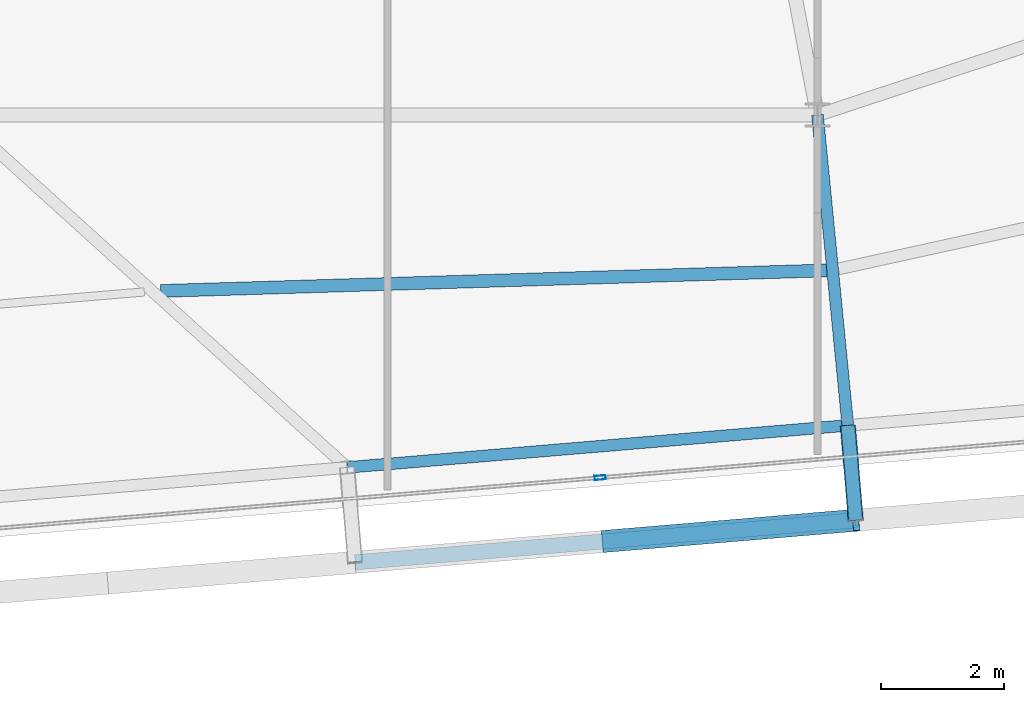
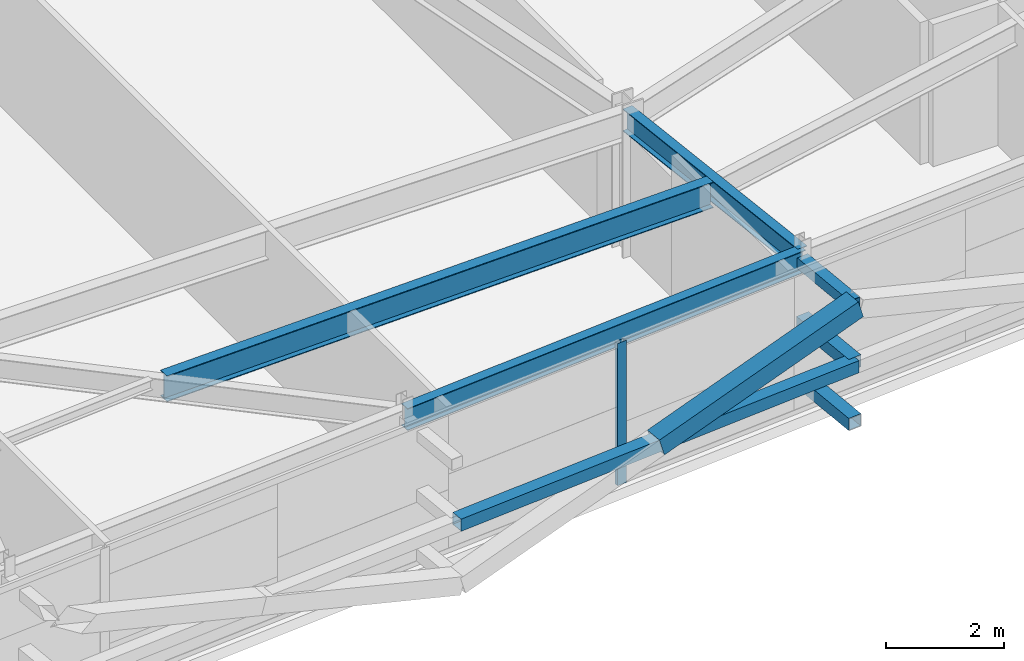
# One storey, part 10 of 39: 6 members, 3 beams, 1 element without a shape of its own.
"""IFC4 building model written with IfcOpenShell, lengths in metres."""

from ifc_helpers import new_model, si_unit, direction, frame, origin, origin_2d, place, context, subcontext, project, spatial, hollow_rectangle, i_section, extrude, source, transform, mapped, material, layer, layer_set, material_profile, profile_set, type_object, element, aggregate, save


model = new_model("IFC4")

# Units and contexts
model_context = context("Model", 3, precision=1e-05, world=origin(), true_north=direction((0.0, 1.0)))
body_context = subcontext(model_context, "Body", "Model", "MODEL_VIEW")
ifc_project = project(units=[si_unit("LENGTHUNIT", "METRE"), si_unit("AREAUNIT", "SQUARE_METRE"), si_unit("VOLUMEUNIT", "CUBIC_METRE"), si_unit("PLANEANGLEUNIT", "RADIAN"), si_unit("MASSUNIT", "GRAM", prefix="KILO")], contexts=[model_context])

# Site, building, storey
site_placement = place(None, origin())
site = spatial("IfcSite", under=ifc_project, at=site_placement, CompositionType="ELEMENT")
building_placement = place(site_placement, origin())
building = spatial("IfcBuilding", under=site, at=building_placement, Name="Taldren Reach Tower", CompositionType="ELEMENT")
storey_placement = place(building_placement, frame((0.0, 0.0, 178.85009765625)))
storey = spatial("IfcBuildingStorey", under=building, at=storey_placement, Name="L54", CompositionType="ELEMENT", Elevation=178.85009765625)

# Members
ifc_material_1 = material(Name="Steel Gr 350 (C350L0)", Category="steel")
ifc_material_profile_1 = material_profile(ifc_material_1, hollow_rectangle(XDim=0.25, YDim=0.25, WallThickness=0.010009765625, at=origin_2d()), Name="250x250x10.0SHS")
ifc_profile_set_1 = profile_set([ifc_material_profile_1], Name="Steel Gr 350 (C350L0)")
member_type_1 = type_object("IfcMemberType", Name="MB-POST250", PredefinedType="POST", material=ifc_profile_set_1)
shared_shape_1 = source(origin(), body_context, "Body", "SweptSolid", [
    extrude(hollow_rectangle(XDim=0.25, YDim=0.25, WallThickness=0.010009765625, at=origin_2d()), origin(), (0.0, 0.0, 1.0), 1.5498046875),
])
for number, where, z_axis, x_axis, name in (
    (1, (42.49365234375, 4.1474609375, 0.219970703125), (0.083645141657, -0.996495604746, 0.0), (0.996495604746, 0.083645141657, 0.0), "Exoskeleton base diaphragm tie strut B4-S4 L54"),
    (2, (42.49365234375, 4.1474609375, 1.434814453125), (0.083645141657, -0.996495604746, 0.0), (0.996495604746, 0.083645141657, 0.0), "Exoskeleton mid-tier diaphragm tie B4-S4 L54"),
):
    element("IfcMember", number, at=place(storey_placement, frame(where, z_axis=z_axis, x_axis=x_axis)), inside=storey, type_object=member_type_1, Name=name, PredefinedType="POST", context=body_context, shape_type="MappedRepresentation", body=[
        mapped(shared_shape_1, transform((0.0, 0.0, 0.0), scale=1.0)),
    ])

# Beams
ifc_material_2 = material(Name="Steel Gr 350 (350PLUS)", Category="steel")
ifc_material_profile_2 = material_profile(ifc_material_2, i_section(OverallWidth=0.18994140625, OverallDepth=0.4541015625, WebThickness=0.008544921875, FlangeThickness=0.0126953125, at=origin_2d()), Name="460UB67.1")
ifc_profile_set_2 = profile_set([ifc_material_profile_2], Name="Steel Gr 350 (350PLUS)")
beam_type_1 = type_object("IfcBeamType", Name="SP-UB460B", PredefinedType="SPANDREL", material=ifc_profile_set_2)
shared_shape_2 = source(origin(), body_context, "Body", "SweptSolid", [
    extrude(i_section(OverallWidth=0.18994140625, OverallDepth=0.4541015625, WebThickness=0.008544921875, FlangeThickness=0.0126953125, at=origin_2d()), origin(), (0.0, 0.0, 1.0), 8.18017578125),
])
beam_1_placement = place(storey_placement, frame((34.34228515625, 3.462890625, 2.702880859375), z_axis=(0.996492034688, 0.083687662192, 0.0), x_axis=(-0.083687662192, 0.996492034688, 0.0)))
element("IfcBeam", 3, at=beam_1_placement, inside=storey, type_object=beam_type_1, Name="Perimeter spandrel B4 S3-S4 L54", PredefinedType="SPANDREL", context=body_context, shape_type="MappedRepresentation", body=[
    mapped(shared_shape_2, transform((0.0, 0.0, 0.0), scale=1.0)),
])
ifc_material_profile_3 = material_profile(ifc_material_2, i_section(OverallWidth=0.19091796875, OverallDepth=0.4599609375, WebThickness=0.010009765625, FlangeThickness=0.01611328125, at=origin_2d()), Name="460UB82.1")
ifc_profile_set_3 = profile_set([ifc_material_profile_3], Name="Steel Gr 350 (350PLUS)")
beam_type_2 = type_object("IfcBeamType", Name="BM-UB460A", PredefinedType="BEAM", material=ifc_profile_set_3)
shared_shape_3 = source(origin(), body_context, "Body", "SweptSolid", [
    extrude(i_section(OverallWidth=0.19091796875, OverallDepth=0.4599609375, WebThickness=0.010009765625, FlangeThickness=0.01611328125, at=origin_2d()), origin(), (0.0, 0.0, 1.0), 5.07666015625),
])
beam_2_placement = place(storey_placement, frame((42.0, 9.199951171875, 2.699951171875), z_axis=(0.097241716644, -0.995260794236, 0.0), x_axis=(0.995260794236, 0.097241716644, 0.0)))
element("IfcBeam", 4, at=beam_2_placement, inside=storey, type_object=beam_type_2, Name="Primary floor girder B4-S4 L54", PredefinedType="BEAM", context=body_context, shape_type="MappedRepresentation", body=[
    mapped(shared_shape_3, transform((0.0, 0.0, 0.0), scale=1.0)),
])
ifc_material_profile_4 = material_profile(ifc_material_2, i_section(OverallWidth=0.208984375, OverallDepth=0.532958984375, WebThickness=0.01025390625, FlangeThickness=0.015625, at=origin_2d()), Name="530UB92.4")
ifc_profile_set_4 = profile_set([ifc_material_profile_4], Name="Steel Gr 350 (350PLUS)")
beam_type_3 = type_object("IfcBeamType", Name="BM-UB530A", PredefinedType="BEAM", material=ifc_profile_set_4)
shared_shape_4 = source(origin(), body_context, "Body", "SweptSolid", [
    extrude(i_section(OverallWidth=0.208984375, OverallDepth=0.532958984375, WebThickness=0.01025390625, FlangeThickness=0.015625, at=origin_2d()), origin(), (0.0, 0.0, 1.0), 10.847412109375),
])
beam_3_placement = place(storey_placement, frame((31.308837890625, 6.335693359375, 2.663330078125), z_axis=(0.999522428572, 0.030901695439, 0.0), x_axis=(-0.030901695439, 0.999522428572, 0.0)))
element("IfcBeam", 5, at=beam_3_placement, inside=storey, type_object=beam_type_3, Name="Secondary floor beam B4 J3 L54", PredefinedType="BEAM", context=body_context, shape_type="MappedRepresentation", body=[
    mapped(shared_shape_4, transform((0.0, 0.0, 0.0), scale=1.0)),
])

# Members
ifc_material_3 = material(Name="Steel Gr 450 (C450L0)", Category="steel")
ifc_material_profile_5 = material_profile(ifc_material_3, hollow_rectangle(XDim=0.219970703125, YDim=0.219970703125, WallThickness=0.00830078125, at=origin_2d()), Name="220x220x8.2SHS")
ifc_profile_set_5 = profile_set([ifc_material_profile_5], Name="Steel Gr 450 (C450L0)")
member_type_2 = type_object("IfcMemberType", Name="MB-TIE219", PredefinedType="STRUT", material=ifc_profile_set_5)
shared_shape_5 = source(origin(), body_context, "Body", "SweptSolid", [
    extrude(hollow_rectangle(XDim=0.219970703125, YDim=0.219970703125, WallThickness=0.00830078125, at=origin_2d()), origin(), (0.0, 0.0, 1.0), 1.5498046875),
])
member_1_placement = place(storey_placement, frame((42.49365234375, 4.1474609375, 2.64990234375), z_axis=(0.083645141657, -0.996495604746, 0.0), x_axis=(0.996495604746, 0.083645141657, 0.0)))
element("IfcMember", 6, at=member_1_placement, inside=storey, type_object=member_type_2, Name="Exoskeleton diaphragm tie strut B4-S4 L54", PredefinedType="STRUT", context=body_context, shape_type="MappedRepresentation", body=[
    mapped(shared_shape_5, transform((0.0, 0.0, 0.0), scale=1.0)),
])
shared_shape_6 = source(origin(), body_context, "Body", "SweptSolid", [
    extrude(hollow_rectangle(XDim=0.25, YDim=0.25, WallThickness=0.010009765625, at=origin_2d()), origin(), (0.0, 0.0, 1.0), 8.18017578125),
])
member_2_placement = place(storey_placement, frame((34.471923828125, 1.91845703125, 1.434814453125), z_axis=(0.996492034688, 0.083687662192, 0.0), x_axis=(-0.083687662192, 0.996492034688, 0.0)))
element("IfcMember", 7, at=member_2_placement, inside=storey, type_object=member_type_1, Name="Exoskeleton mid-height ring chord B4-S3 L54", PredefinedType="POST", context=body_context, shape_type="MappedRepresentation", body=[
    mapped(shared_shape_6, transform((0.0, 0.0, 0.0), scale=1.0)),
])
ifc_material_profile_6 = material_profile(ifc_material_3, hollow_rectangle(XDim=0.360107421875, YDim=0.360107421875, WallThickness=0.0126953125, at=origin_2d()), Name="360x360x12.7SHS")
ifc_profile_set_6 = profile_set([ifc_material_profile_6], Name="Steel Gr 450 (C450L0)")
member_type_3 = type_object("IfcMemberType", Name="MB-EXO356", PredefinedType="BRACE", material=ifc_profile_set_6)
shared_shape_7 = source(origin(), body_context, "Body", "SweptSolid", [
    extrude(hollow_rectangle(XDim=0.360107421875, YDim=0.360107421875, WallThickness=0.0126953125, at=origin_2d()), origin(), (0.0, 0.0, 1.0), 4.2666015625),
])
member_3_placement = place(storey_placement, frame((38.547607421875, 2.2607421875, 1.434814453125), z_axis=(0.955229159097, 0.080222312271, 0.284783486572), x_axis=(-0.083687662192, 0.996492034688, 0.0)))
element("IfcMember", 8, at=member_3_placement, inside=storey, type_object=member_type_3, Name="Exoskeleton Diagrid Brace B4-S3 L54", PredefinedType="BRACE", context=body_context, shape_type="MappedRepresentation", body=[
    mapped(shared_shape_7, transform((0.0, 0.0, 0.0), scale=1.0)),
])

# Curtain wall, member
ifc_material_4 = material(Name="Aluminium and Low-E Glass Unitised System", Category="aluminium")
ifc_layer = layer(ifc_material_4, 0.159912109375)
ifc_layer_set = layer_set([ifc_layer], Name="Aluminium and Low-E Glass Unitised System")
curtain_wall_type = type_object("IfcCurtainWallType", Name="CW-SYS-5", PredefinedType="NOTDEFINED", material=ifc_layer_set)
curtain_wall_placement = place(storey_placement, origin())
curtain_wall = element("IfcCurtainWall", 9, at=curtain_wall_placement, inside=storey, type_object=curtain_wall_type, Name="Unitised curtain wall CW-L54-S", PredefinedType="NOTDEFINED")
ifc_material_5 = material(Name="Anodised Aluminium 6063-T6", Category="aluminium")
ifc_material_profile_7 = material_profile(ifc_material_5, hollow_rectangle(XDim=0.070068359375, YDim=0.179931640625, WallThickness=0.00390625, at=origin_2d()), Name="ALU-180x70x4RHS")
ifc_profile_set_7 = profile_set([ifc_material_profile_7], Name="Anodised Aluminium 6063-T6")
member_type_4 = type_object("IfcMemberType", Name="CW-MUL-180", PredefinedType="MULLION", material=ifc_profile_set_7)
shared_shape_8 = source(origin(), body_context, "Body", "SweptSolid", [
    extrude(hollow_rectangle(XDim=0.070068359375, YDim=0.179931640625, WallThickness=0.00390625, at=origin_2d()), origin(), (0.0, 0.0, 1.0), 2.929931640625),
])
member_4_placement = place(storey_placement, frame((38.460693359375, 3.297119140625, 0.0), z_axis=(0.0, 0.0, 1.0), x_axis=(-0.083677894865, 0.996492854922, 0.0)))
member_4 = element("IfcMember", 10, at=member_4_placement, type_object=member_type_4, Name="CW-5 mullion 3", PredefinedType="MULLION", context=body_context, shape_type="MappedRepresentation", body=[
    mapped(shared_shape_8, transform((0.0, 0.0, 0.0), scale=1.0)),
])
aggregate(curtain_wall, [member_4])

save(model, "model.ifc")
